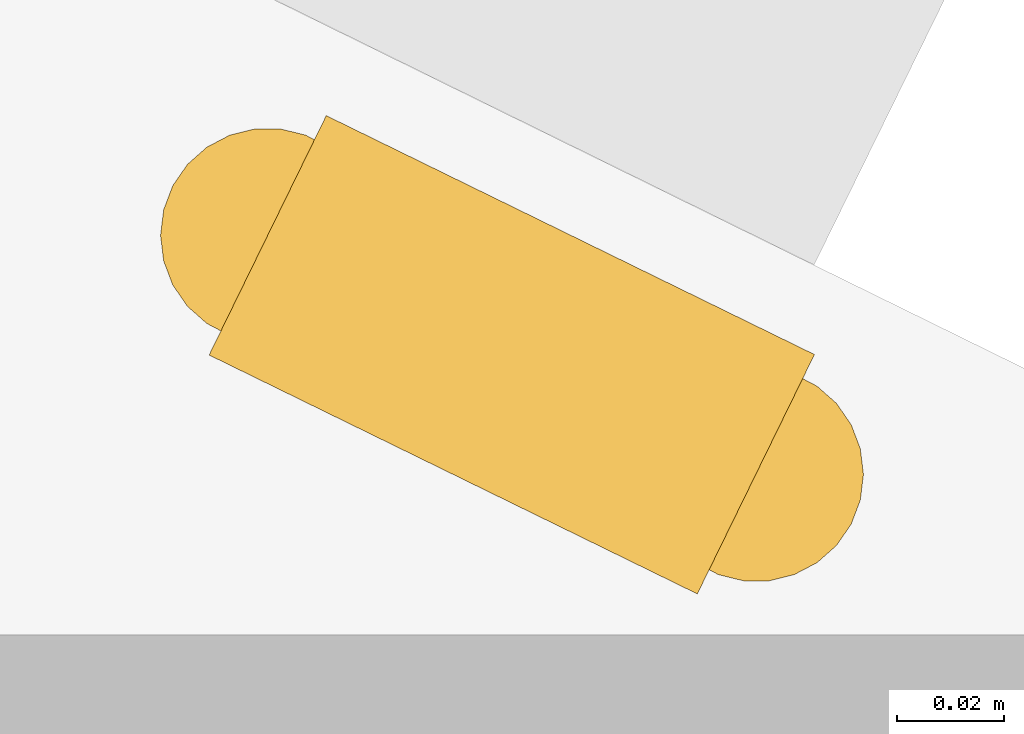
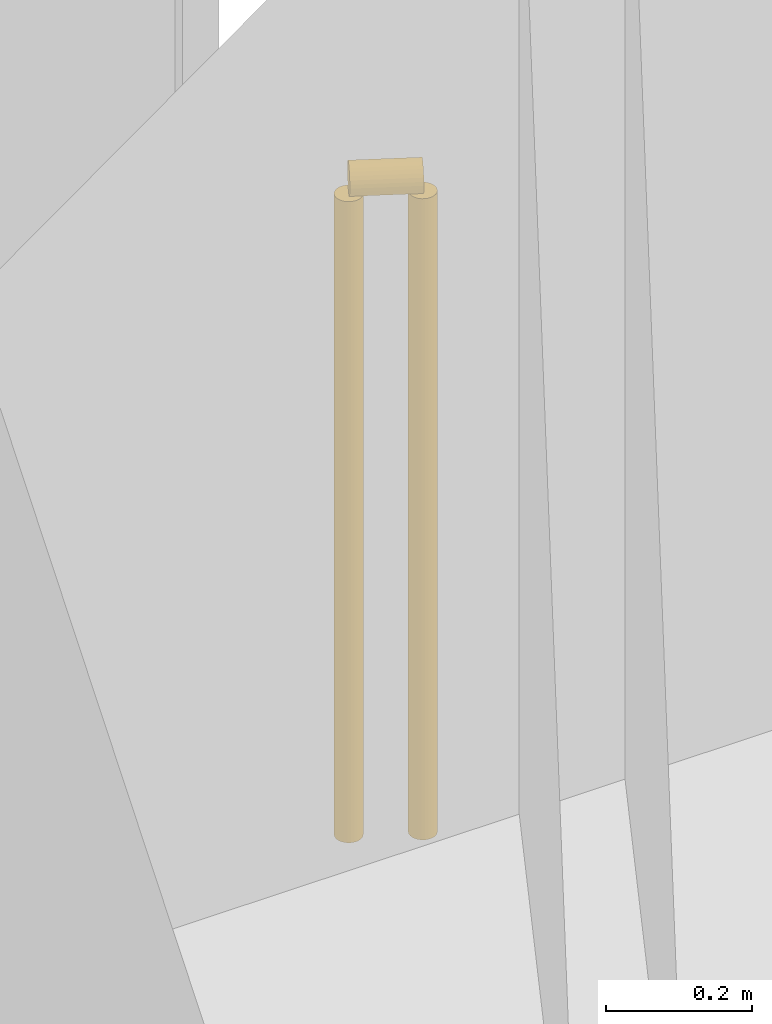
# One storey, part 37 of 38: 1 railing.
"""IFC4 building model written with IfcOpenShell, lengths in metres."""

from ifc_helpers import new_model, si_unit, direction, frame, origin, origin_2d, place, context, subcontext, project, spatial, circle, extrude, material, type_object, element, save


model = new_model("IFC4")

# Units and contexts
model_context = context("Model", 3, precision=1e-05, world=origin(), true_north=direction((0.0, 1.0)))
body_context = subcontext(model_context, "Body", "Model", "MODEL_VIEW")
ifc_project = project(units=[si_unit("LENGTHUNIT", "METRE"), si_unit("AREAUNIT", "SQUARE_METRE"), si_unit("VOLUMEUNIT", "CUBIC_METRE"), si_unit("PLANEANGLEUNIT", "RADIAN"), si_unit("MASSUNIT", "GRAM", prefix="KILO")], contexts=[model_context])

# Site, building, storey
site_placement = place(None, origin())
site = spatial("IfcSite", under=ifc_project, at=site_placement, CompositionType="ELEMENT")
building_placement = place(site_placement, origin())
building = spatial("IfcBuilding", under=site, at=building_placement, Name="Orlundy Tower", CompositionType="ELEMENT")
storey_placement = place(building_placement, frame((0.0, 0.0, 72.800048828125)))
storey = spatial("IfcBuildingStorey", under=building, at=storey_placement, Name="L17", CompositionType="ELEMENT", Elevation=72.800048828125)

# Railing
ifc_material = material(Name="Stainless steel bronze finish", Category="steel")
railing_type = type_object("IfcRailingType", Name="TG1 terrace guard", PredefinedType="GUARDRAIL", material=ifc_material)
railing_placement = place(storey_placement, frame((46.218994140625, -0.47021484375, 0.0)))
element("IfcRailing", 1, at=railing_placement, inside=storey, type_object=railing_type, Name="Guard TG-L17-E02", PredefinedType="GUARDRAIL", context=body_context, shape_type="SweptSolid", body=[
    extrude(circle(Radius=0.02490234375, at=origin_2d()), frame((0.0, 0.0, 1.09521484375), z_axis=(0.898236896108, -0.439511636331, 0.0), x_axis=(0.439511636331, 0.898236896108, 0.0)), (0.0, 0.0, 1.0), 0.1015625),
    extrude(circle(Radius=0.02001953125, at=origin_2d()), origin(), (0.0, 0.0, 1.0), 1.070068359375),
    extrude(circle(Radius=0.02001953125, at=origin_2d()), frame((0.09130859375, -0.044677734375, 0.0)), (0.0, 0.0, 1.0), 1.070068359375),
])

save(model, "model.ifc")
